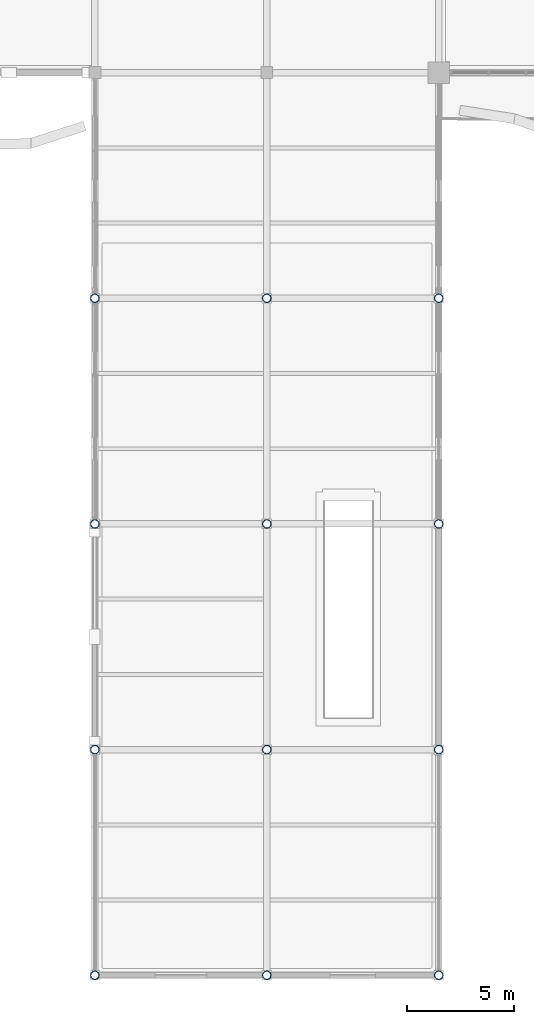
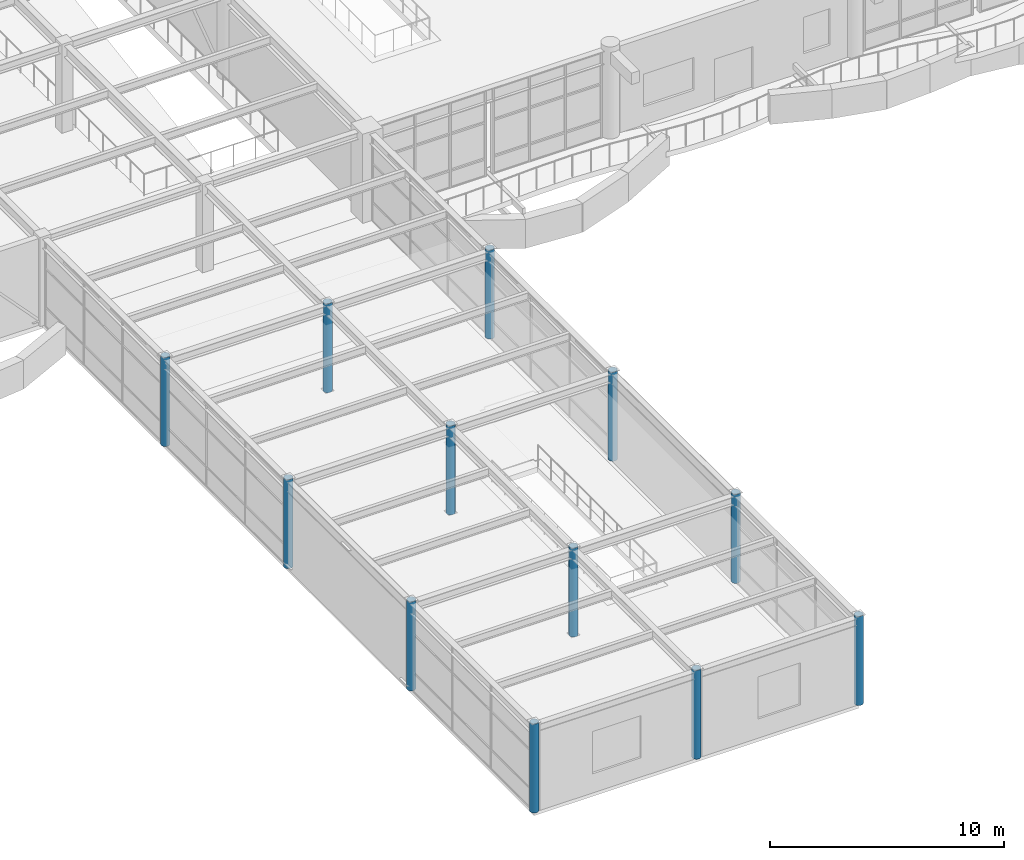
# One storey, part 1 of 72: 12 columns.
"""IFC4 building model written with IfcOpenShell, lengths in metres."""

from ifc_helpers import new_model, si_unit, direction, frame, origin, origin_2d, place, context, subcontext, project, spatial, hollow_circle, extrude, material, material_profile, profile_set, type_object, element, save


model = new_model("IFC4")

# Units and contexts
model_context = context("Model", 3, precision=1e-05, world=origin(), true_north=direction((0.0, 1.0)))
body_context = subcontext(model_context, "Body", "Model", "MODEL_VIEW")
ifc_project = project(units=[si_unit("LENGTHUNIT", "METRE"), si_unit("AREAUNIT", "SQUARE_METRE"), si_unit("VOLUMEUNIT", "CUBIC_METRE"), si_unit("PLANEANGLEUNIT", "RADIAN"), si_unit("MASSUNIT", "GRAM", prefix="KILO")], contexts=[model_context])

# Site, building, storey
site_placement = place(None, origin())
site = spatial("IfcSite", under=ifc_project, at=site_placement, CompositionType="ELEMENT")
building_placement = place(site_placement, origin())
building = spatial("IfcBuilding", under=site, at=building_placement, Name="Keelwater Ferry Terminal", CompositionType="ELEMENT")
storey_placement = place(building_placement, frame((0.0, 0.0, 5.39990234375)))
storey = spatial("IfcBuildingStorey", under=building, at=storey_placement, Name="L01", CompositionType="ELEMENT", Elevation=5.39990234375)

# Columns
ifc_material = material(Name="Steel S355", Category="steel")
ifc_material_profile = material_profile(ifc_material, hollow_circle(Radius=0.203125, WallThickness=0.01611328125, at=origin_2d()), Name="CHS 406.4x16")
ifc_profile_set = profile_set([ifc_material_profile], Name="Steel S355")
column_type = type_object("IfcColumnType", Name="C9E CHS 406.4x16", PredefinedType="COLUMN", material=ifc_profile_set)
for number, where, z_axis, x_axis, name in (
    (1, (32.0, 0.0, 0.0), (0.0, 0.0, 1.0), (1.0, 0.0, 0.0), "Column CL-L01-0037"),
    (2, (32.0, 10.5, 0.0), (0.0, 0.0, 1.0), (1.0, 0.0, 0.0), "Column CL-L01-0039"),
    (3, (32.0, 21.0, 0.0), (0.0, 0.0, 1.0), (1.0, 0.0, 0.0), "Column CL-L01-0041"),
    (4, (32.0, 31.5, 0.0), (0.0, 0.0, 1.0), (1.0, 0.0, 0.0), "Column CL-L01-0043"),
    (5, (40.0, 0.0, 0.0), (0.0, 0.0, 1.0), (1.0, 0.0, 0.0), "Column CL-L01-0062"),
    (6, (40.0, 10.5, 0.0), (0.0, 0.0, 1.0), (1.0, 0.0, 0.0), "Column CL-L01-0064"),
    (7, (40.0, 21.0, 0.0), (0.0, 0.0, 1.0), (1.0, 0.0, 0.0), "Column CL-L01-0066"),
    (8, (40.0, 31.5, 0.0), (0.0, 0.0, 1.0), (1.0, 0.0, 0.0), "Column CL-L01-0068"),
    (9, (48.0, 0.0, 0.0), (0.0, 0.0, 1.0), (1.0, 0.0, 0.0), "Column CL-L01-0087"),
    (10, (48.0, 10.5, 0.0), (0.0, 0.0, 1.0), (1.0, 0.0, 0.0), "Column CL-L01-0089"),
    (11, (48.0, 21.0, 0.0), (0.0, 0.0, 1.0), (1.0, 0.0, 0.0), "Column CL-L01-0091"),
    (12, (48.0, 31.5, 0.0), (0.0, 0.0, 1.0), (1.0, 0.0, 0.0), "Column CL-L01-0093"),
):
    element("IfcColumn", number, at=place(storey_placement, frame(where, z_axis=z_axis, x_axis=x_axis)), inside=storey, type_object=column_type, Name=name, PredefinedType="COLUMN", context=body_context, shape_type="SweptSolid", body=[
        extrude(hollow_circle(Radius=0.203125, WallThickness=0.01611328125, at=origin_2d()), origin(), (0.0, 0.0, 1.0), 4.64013671875),
    ])

save(model, "model.ifc")
